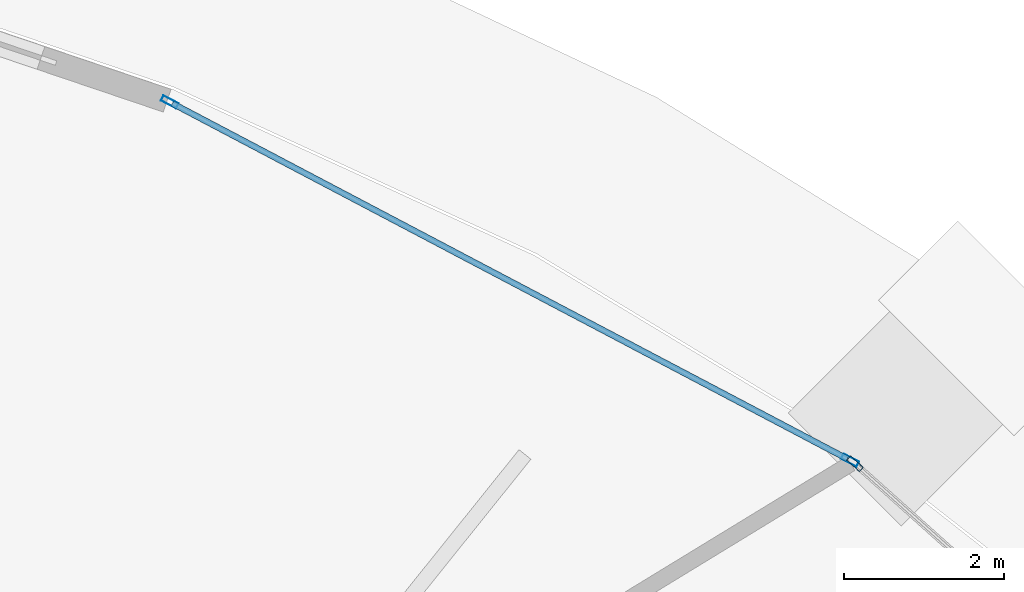
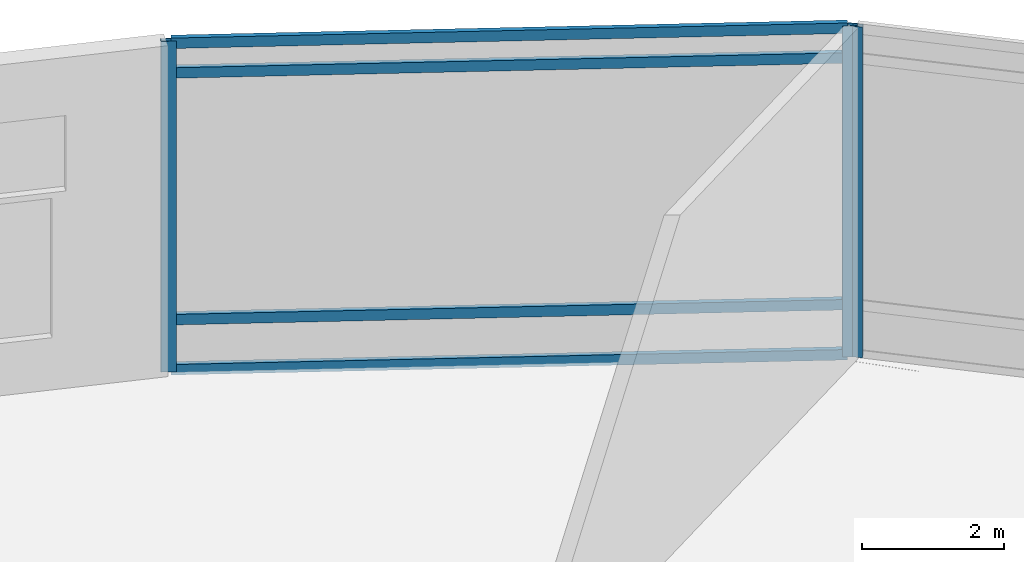
# One storey, part 28 of 40: 7 members, 2 elements without a shape of their own.
"""IFC4 building model written with IfcOpenShell, lengths in metres."""

from ifc_helpers import new_model, si_unit, direction, frame, origin, origin_2d, place, context, subcontext, project, spatial, hollow_rectangle, extrude, material, layer, layer_set, material_profile, profile_set, type_object, element, aggregate, save


model = new_model("IFC4")

# Units and contexts
model_context = context("Model", 3, precision=1e-05, world=origin(), true_north=direction((0.0, 1.0)))
body_context = subcontext(model_context, "Body", "Model", "MODEL_VIEW")
ifc_project = project(units=[si_unit("LENGTHUNIT", "METRE"), si_unit("AREAUNIT", "SQUARE_METRE"), si_unit("VOLUMEUNIT", "CUBIC_METRE"), si_unit("PLANEANGLEUNIT", "RADIAN"), si_unit("MASSUNIT", "GRAM", prefix="KILO")], contexts=[model_context])

# Site, building, storey
site_placement = place(None, origin())
site = spatial("IfcSite", under=ifc_project, at=site_placement, CompositionType="ELEMENT")
building_placement = place(site_placement, origin())
building = spatial("IfcBuilding", under=site, at=building_placement, Name="Nuhasar Tower", CompositionType="ELEMENT")
storey_placement = place(building_placement, origin())
storey = spatial("IfcBuildingStorey", under=building, at=storey_placement, Name="L00", CompositionType="ELEMENT", Elevation=0.0)

# Curtain wall, member
ifc_material = material(Name="Aluminium 6063-T6", Category="aluminium")
ifc_layer = layer(ifc_material, 0.219970703125)
ifc_layer_set = layer_set([ifc_layer], Name="Aluminium 6063-T6")
curtain_wall_type = type_object("IfcCurtainWallType", Name="CW-PODIUM", PredefinedType="NOTDEFINED", material=ifc_layer_set)
curtain_wall_1_placement = place(storey_placement, origin())
curtain_wall_1 = element("IfcCurtainWall", 1, at=curtain_wall_1_placement, inside=storey, type_object=curtain_wall_type, Name="L00 Podium Curtain Wall Bay 03", PredefinedType="NOTDEFINED")
ifc_material_profile_1 = material_profile(ifc_material, hollow_rectangle(XDim=0.074951171875, YDim=0.219970703125, WallThickness=0.0048828125, at=origin_2d()), Name="CWM-1")
ifc_profile_set_1 = profile_set([ifc_material_profile_1], Name="Aluminium 6063-T6")
member_type_1 = type_object("IfcMemberType", Name="CW-MUL-S1", PredefinedType="MULLION", material=ifc_profile_set_1)
member_1_placement = place(storey_placement, frame((68.3310546875, 46.885009765625, 0.0), z_axis=(0.0, 0.0, 1.0), x_axis=(-0.666679051092, -0.745344915348, 0.0)))
member_1 = element("IfcMember", 2, at=member_1_placement, type_object=member_type_1, Name="CW-P1 mullion 2", PredefinedType="MULLION", context=body_context, shape_type="SweptSolid", body=[
    extrude(hollow_rectangle(XDim=0.074951171875, YDim=0.219970703125, WallThickness=0.0048828125, at=origin_2d()), origin(), (0.0, 0.0, 1.0), 5.699951171875),
])
aggregate(curtain_wall_1, [member_1])

# Curtain wall, members
curtain_wall_2_placement = place(storey_placement, origin())
curtain_wall_2 = element("IfcCurtainWall", 3, at=curtain_wall_2_placement, inside=storey, type_object=curtain_wall_type, Name="L00 Podium Curtain Wall Bay 04", PredefinedType="NOTDEFINED")
member_2_placement = place(storey_placement, frame((68.269775390625, 46.927490234375, 0.0), z_axis=(0.0, 0.0, 1.0), x_axis=(-0.46595885722, -0.88480638751, 0.0)))
member_2 = element("IfcMember", 4, at=member_2_placement, type_object=member_type_1, Name="CW-P1 mullion 1", PredefinedType="MULLION", context=body_context, shape_type="SweptSolid", body=[
    extrude(hollow_rectangle(XDim=0.074951171875, YDim=0.219970703125, WallThickness=0.0048828125, at=origin_2d()), origin(), (0.0, 0.0, 1.0), 5.699951171875),
])
member_3_placement = place(storey_placement, frame((59.753173828125, 51.41259765625, 0.0), z_axis=(0.0, 0.0, 1.0), x_axis=(-0.46595885722, -0.88480638751, 0.0)))
member_3 = element("IfcMember", 5, at=member_3_placement, type_object=member_type_1, Name="CW-P1 mullion 2", PredefinedType="MULLION", context=body_context, shape_type="SweptSolid", body=[
    extrude(hollow_rectangle(XDim=0.074951171875, YDim=0.219970703125, WallThickness=0.0048828125, at=origin_2d()), origin(), (0.0, 0.0, 1.0), 5.699951171875),
])
ifc_material_profile_2 = material_profile(ifc_material, hollow_rectangle(XDim=0.074951171875, YDim=0.179931640625, WallThickness=0.00439453125, at=origin_2d()), Name="CWT-1")
ifc_profile_set_2 = profile_set([ifc_material_profile_2], Name="Aluminium 6063-T6")
member_type_2 = type_object("IfcMemberType", Name="CW-TRN-S1", PredefinedType="USERDEFINED", material=ifc_profile_set_2)
member_4_placement = place(storey_placement, frame((68.236572265625, 46.945068359375, 0.03759765625), z_axis=(-0.884811175238, 0.465949765719, 0.0), x_axis=(-0.465949765719, -0.884811175238, 0.0)))
member_4 = element("IfcMember", 6, at=member_4_placement, type_object=member_type_2, Name="CW-P1 transom 1.1", ObjectType="TRANSOM", PredefinedType="USERDEFINED", context=body_context, shape_type="SweptSolid", body=[
    extrude(hollow_rectangle(XDim=0.074951171875, YDim=0.179931640625, WallThickness=0.00439453125, at=origin_2d()), origin(), (0.0, 0.0, 1.0), 9.55029296875),
])
member_5_placement = place(storey_placement, frame((68.236572265625, 46.945068359375, 0.89990234375), z_axis=(-0.884811175238, 0.465949765719, 0.0), x_axis=(-0.465949765719, -0.884811175238, 0.0)))
member_5 = element("IfcMember", 7, at=member_5_placement, type_object=member_type_2, Name="CW-P1 transom 1.2", ObjectType="TRANSOM", PredefinedType="USERDEFINED", context=body_context, shape_type="SweptSolid", body=[
    extrude(hollow_rectangle(XDim=0.074951171875, YDim=0.179931640625, WallThickness=0.00439453125, at=origin_2d()), origin(), (0.0, 0.0, 1.0), 9.55029296875),
])
member_6_placement = place(storey_placement, frame((68.236572265625, 46.945068359375, 5.14990234375), z_axis=(-0.884811175238, 0.465949765719, 0.0), x_axis=(-0.465949765719, -0.884811175238, 0.0)))
member_6 = element("IfcMember", 8, at=member_6_placement, type_object=member_type_2, Name="CW-P1 transom 1.3", ObjectType="TRANSOM", PredefinedType="USERDEFINED", context=body_context, shape_type="SweptSolid", body=[
    extrude(hollow_rectangle(XDim=0.074951171875, YDim=0.179931640625, WallThickness=0.00439453125, at=origin_2d()), origin(), (0.0, 0.0, 1.0), 9.55029296875),
])
member_7_placement = place(storey_placement, frame((68.236572265625, 46.945068359375, 5.66259765625), z_axis=(-0.884811175238, 0.465949765719, 0.0), x_axis=(-0.465949765719, -0.884811175238, 0.0)))
member_7 = element("IfcMember", 9, at=member_7_placement, type_object=member_type_2, Name="CW-P1 transom 1.4", ObjectType="TRANSOM", PredefinedType="USERDEFINED", context=body_context, shape_type="SweptSolid", body=[
    extrude(hollow_rectangle(XDim=0.074951171875, YDim=0.179931640625, WallThickness=0.00439453125, at=origin_2d()), origin(), (0.0, 0.0, 1.0), 9.55029296875),
])
aggregate(curtain_wall_2, [member_2, member_3, member_4, member_5, member_6, member_7])

save(model, "model.ifc")
